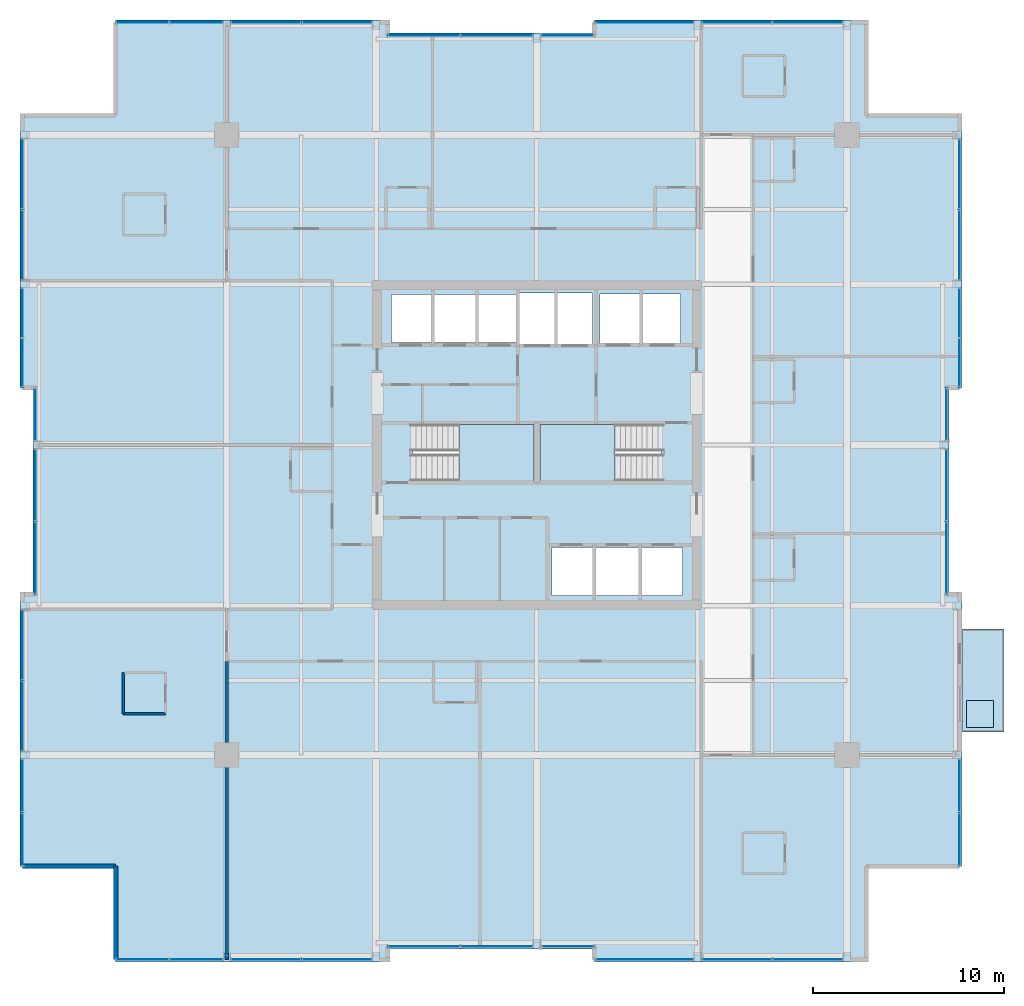
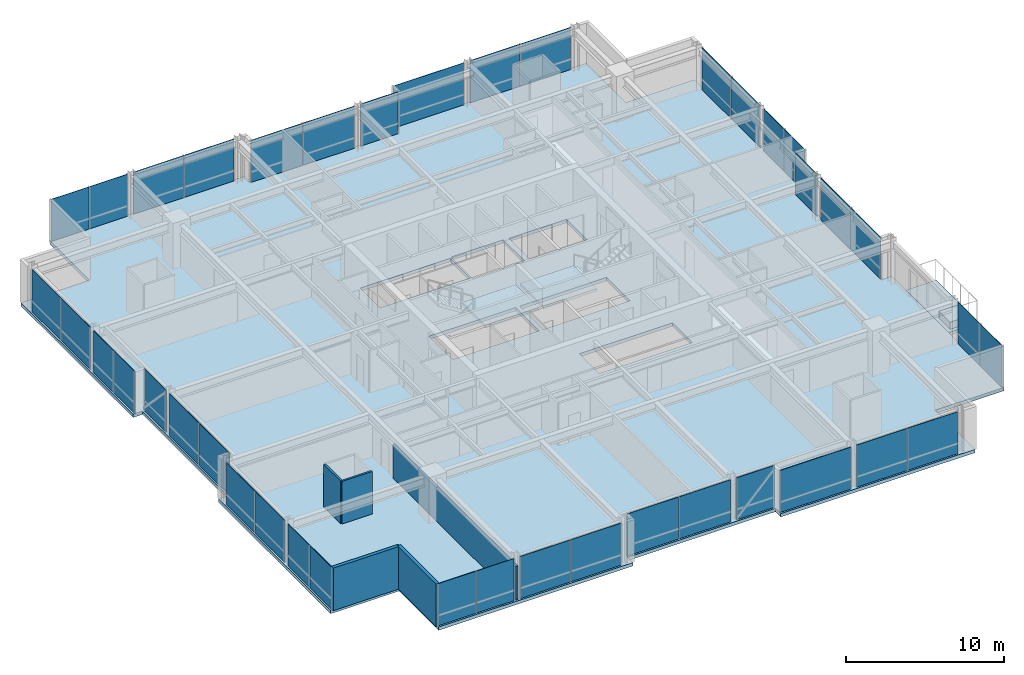
# One storey, part 26 of 33: 40 plates, 5 slabs, 5 walls, 25 elements without a shape of their own.
"""IFC4 building model written with IfcOpenShell, lengths in metres."""

from ifc_helpers import new_model, si_unit, direction, frame, frame_2d, origin, origin_2d, place, context, subcontext, project, spatial, polyline, rectangle, outline, extrude, material, layer, layer_set, type_object, element, aggregate, save


model = new_model("IFC4")

# Units and contexts
model_context = context("Model", 3, precision=1e-05, world=origin(), true_north=direction((0.0, 1.0)))
body_context = subcontext(model_context, "Body", "Model", "MODEL_VIEW")
ifc_project = project(units=[si_unit("LENGTHUNIT", "METRE"), si_unit("AREAUNIT", "SQUARE_METRE"), si_unit("VOLUMEUNIT", "CUBIC_METRE"), si_unit("PLANEANGLEUNIT", "RADIAN"), si_unit("MASSUNIT", "GRAM", prefix="KILO")], contexts=[model_context])

# Site, building, storey
site_placement = place(None, origin())
site = spatial("IfcSite", under=ifc_project, at=site_placement, CompositionType="ELEMENT")
building_placement = place(site_placement, origin())
building = spatial("IfcBuilding", under=site, at=building_placement, Name="Drelvath Grand Hotel", CompositionType="ELEMENT")
storey_placement = place(building_placement, frame((0.0, 0.0, 168.14990234375)))
storey = spatial("IfcBuildingStorey", under=building, at=storey_placement, Name="L43", CompositionType="ELEMENT", Elevation=168.14990234375)

# Slabs
ifc_material_1 = material(Name="Concrete f'c 40 MPa", Category="concrete")
ifc_layer_1 = layer(ifc_material_1, 0.239990234375)
ifc_layer_set_1 = layer_set([ifc_layer_1], Name="Concrete f'c 40 MPa")
slab_type_1 = type_object("IfcSlabType", Name="Cantilevered Tree Balcony Slab 240", PredefinedType="FLOOR", material=ifc_layer_set_1)
slab_1_placement = place(storey_placement, frame((0.0, 0.0, -0.239990234375)))
element("IfcSlab", 1, at=slab_1_placement, inside=storey, type_object=slab_type_1, Name="L43 Cantilevered Tree Balcony Slab 1", PredefinedType="FLOOR", context=body_context, shape_type="SweptSolid", body=[
    extrude(outline(polyline([(22.199951171875, 12.0), (24.39990234375, 12.0), (24.39990234375, 17.39990234375), (22.199951171875, 17.39990234375), (22.199951171875, 12.0)])), origin(), (0.0, 0.0, 1.0), 0.239990234375),
])
ifc_layer_2 = layer(ifc_material_1, 0.260009765625)
ifc_layer_set_2 = layer_set([ifc_layer_2], Name="Concrete f'c 40 MPa")
slab_type_2 = type_object("IfcSlabType", Name="Composite RC Floor Slab 260", PredefinedType="FLOOR", material=ifc_layer_set_2)
slab_2_placement = place(storey_placement, frame((0.0, 0.0, -0.260009765625)))
element("IfcSlab", 2, at=slab_2_placement, inside=storey, type_object=slab_type_2, Name="L43 Structural Floor Slab", PredefinedType="FLOOR", context=body_context, shape_type="SweptSolid", body=[
    extrude(outline(polyline([(-22.0, 0.0), (-7.800048828125, 0.0), (-7.800048828125, 0.679931640625), (3.0, 0.679931640625), (3.0, 0.0), (17.199951171875, 0.0), (17.199951171875, 5.0), (22.199951171875, 5.0), (22.199951171875, 19.199951171875), (21.52001953125, 19.199951171875), (21.52001953125, 30.0), (22.199951171875, 30.0), (22.199951171875, 44.199951171875), (17.199951171875, 44.199951171875), (17.199951171875, 49.199951171875), (3.0, 49.199951171875), (3.0, 48.52001953125), (-7.800048828125, 48.52001953125), (-7.800048828125, 49.199951171875), (-22.0, 49.199951171875), (-22.0, 44.199951171875), (-27.0, 44.199951171875), (-27.0, 30.0), (-26.320068359375, 30.0), (-26.320068359375, 19.199951171875), (-27.0, 19.199951171875), (-27.0, 5.0), (-22.0, 5.0), (-22.0, 0.0)]), holes=[polyline([(-6.47998046875, 25.1201171875), (-6.47998046875, 28.080078125), (-0.14990234375, 28.080078125), (-0.14990234375, 25.1201171875), (-6.47998046875, 25.1201171875)]), polyline([(0.14990234375, 25.1201171875), (0.14990234375, 28.080078125), (6.47998046875, 28.080078125), (6.47998046875, 25.1201171875), (0.14990234375, 25.1201171875)]), polyline([(0.800048828125, 19.14990234375), (0.800048828125, 21.64990234375), (7.60009765625, 21.64990234375), (7.60009765625, 19.14990234375), (0.800048828125, 19.14990234375)]), polyline([(-7.60009765625, 32.35009765625), (-7.60009765625, 34.85009765625), (-1.02001953125, 34.85009765625), (-1.02001953125, 32.35009765625), (-7.60009765625, 32.35009765625)]), polyline([(-0.89990234375, 32.25), (-0.89990234375, 34.949951171875), (2.89990234375, 34.949951171875), (2.89990234375, 32.25), (-0.89990234375, 32.25)]), polyline([(3.300048828125, 32.300048828125), (3.300048828125, 34.89990234375), (7.5, 34.89990234375), (7.5, 32.300048828125), (3.300048828125, 32.300048828125)])]), origin(), (0.0, 0.0, 1.0), 0.260009765625),
])

# Stair, slab
ifc_material_2 = material(Name="Concrete C40/50", Category="concrete")
stair_type = type_object("IfcStairType", Name="Dogleg Exit Stair W1400-R177.5", PredefinedType="HALF_TURN_STAIR", material=ifc_material_2)
stair_1_placement = place(storey_placement, origin())
stair_1 = element("IfcStair", 3, at=stair_1_placement, inside=storey, type_object=stair_type, Name="L43 Core Exit Stair ST-1", PredefinedType="HALF_TURN_STAIR")
ifc_layer_3 = layer(ifc_material_2, 0.199951171875)
ifc_layer_set_3 = layer_set([ifc_layer_3], Name="Concrete C40/50")
slab_type_3 = type_object("IfcSlabType", Name="Concrete Stair Landing Slab 200", PredefinedType="LANDING", material=ifc_layer_set_3)
slab_3_placement = place(storey_placement, frame((0.0, 0.0, 1.5751953125)))
slab_3 = element("IfcSlab", 4, at=slab_3_placement, type_object=slab_type_3, Name="ST-1 landing 1", PredefinedType="LANDING", context=body_context, shape_type="SweptSolid", body=[
    extrude(outline(polyline([(-4.080078125, 25.1201171875), (-0.14990234375, 25.1201171875), (-0.14990234375, 28.080078125), (-4.080078125, 28.080078125), (-4.080078125, 25.1201171875)])), origin(), (0.0, 0.0, 1.0), 0.199951171875),
])
aggregate(stair_1, [slab_3])

stair_2_placement = place(storey_placement, origin())
stair_2 = element("IfcStair", 5, at=stair_2_placement, inside=storey, type_object=stair_type, Name="L43 Core Exit Stair ST-2", PredefinedType="HALF_TURN_STAIR")
slab_4_placement = place(storey_placement, frame((0.0, 0.0, 1.5751953125)))
slab_4 = element("IfcSlab", 6, at=slab_4_placement, type_object=slab_type_3, Name="ST-2 landing 1", PredefinedType="LANDING", context=body_context, shape_type="SweptSolid", body=[
    extrude(outline(polyline([(4.080078125, 28.080078125), (0.14990234375, 28.080078125), (0.14990234375, 25.1201171875), (4.080078125, 25.1201171875), (4.080078125, 28.080078125)])), origin(), (0.0, 0.0, 1.0), 0.199951171875),
])
aggregate(stair_2, [slab_4])

# Curtain wall, plates
ifc_material_3 = material(Name="Brushed Pale-Silver Anodised Aluminium Frame", Category="aluminium")
ifc_layer_4 = layer(ifc_material_3, 0.199951171875)
ifc_layer_set_4 = layer_set([ifc_layer_4], Name="Brushed Pale-Silver Anodised Aluminium Frame")
curtain_wall_type = type_object("IfcCurtainWallType", Name="Stick Curtain Wall CW-04 Brushed Silver Upper-Mid", PredefinedType="NOTDEFINED", material=ifc_layer_set_4)
curtain_wall_1_placement = place(storey_placement, origin())
curtain_wall_1 = element("IfcCurtainWall", 7, at=curtain_wall_1_placement, inside=storey, type_object=curtain_wall_type, Name="L43 CW-04 Curtain Wall CW04-L43-WS1", PredefinedType="NOTDEFINED")
ifc_material_4 = material(Name="Low-E Triple Silver Vision Glass Cool", Category="glass")
ifc_layer_5 = layer(ifc_material_4, 0.035888671875)
ifc_layer_set_5 = layer_set([ifc_layer_5], Name="Low-E Triple Silver Vision Glass Cool")
plate_type = type_object("IfcPlateType", Name="Curtain Wall Vision Panel CW-04 36mm", PredefinedType="CURTAIN_PANEL", material=ifc_layer_set_5)
plate_1_placement = place(storey_placement, frame((-26.8798828125, 6.39990234375, 0.02001953125), z_axis=(0.0, 0.0, 1.0), x_axis=(0.0, 1.0, 0.0)))
plate_1 = element("IfcPlate", 8, at=plate_1_placement, type_object=plate_type, Name="CW04-L43-WS1 Glazed Panel 1", PredefinedType="CURTAIN_PANEL", context=body_context, shape_type="SweptSolid", body=[
    extrude(rectangle(XDim=2.760009765625, YDim=0.035888671875, at=origin_2d()), origin(), (0.0, 0.0, 1.0), 3.25),
])
plate_2_placement = place(storey_placement, frame((-26.8798828125, 9.199951171875, 0.02001953125), z_axis=(0.0, 0.0, 1.0), x_axis=(0.0, 1.0, 0.0)))
plate_2 = element("IfcPlate", 9, at=plate_2_placement, type_object=plate_type, Name="CW04-L43-WS1 Glazed Panel 2", PredefinedType="CURTAIN_PANEL", context=body_context, shape_type="SweptSolid", body=[
    extrude(rectangle(XDim=2.760009765625, YDim=0.035888671875, at=origin_2d()), origin(), (0.0, 0.0, 1.0), 3.25),
])
aggregate(curtain_wall_1, [plate_1, plate_2])

curtain_wall_2_placement = place(storey_placement, origin())
curtain_wall_2 = element("IfcCurtainWall", 10, at=curtain_wall_2_placement, inside=storey, type_object=curtain_wall_type, Name="L43 CW-04 Curtain Wall CW04-L43-WS2", PredefinedType="NOTDEFINED")
plate_3_placement = place(storey_placement, frame((-26.8798828125, 12.85009765625, 0.02001953125), z_axis=(0.0, 0.0, 1.0), x_axis=(0.0, 1.0, 0.0)))
plate_3 = element("IfcPlate", 11, at=plate_3_placement, type_object=plate_type, Name="CW04-L43-WS2 Glazed Panel 1", PredefinedType="CURTAIN_PANEL", context=body_context, shape_type="SweptSolid", body=[
    extrude(rectangle(XDim=3.659912109375, YDim=0.035888671875, at=origin_2d()), origin(), (0.0, 0.0, 1.0), 3.25),
])
plate_4_placement = place(storey_placement, frame((-26.8798828125, 16.550048828125, 0.02001953125), z_axis=(0.0, 0.0, 1.0), x_axis=(0.0, 1.0, 0.0)))
plate_4 = element("IfcPlate", 12, at=plate_4_placement, type_object=plate_type, Name="CW04-L43-WS2 Glazed Panel 2", PredefinedType="CURTAIN_PANEL", context=body_context, shape_type="SweptSolid", body=[
    extrude(rectangle(XDim=3.659912109375, YDim=0.035888671875, at=origin_2d()), origin(), (0.0, 0.0, 1.0), 3.25),
])
aggregate(curtain_wall_2, [plate_3, plate_4])

curtain_wall_3_placement = place(storey_placement, origin())
curtain_wall_3 = element("IfcCurtainWall", 13, at=curtain_wall_3_placement, inside=storey, type_object=curtain_wall_type, Name="L43 CW-04 Curtain Wall CW04-L43-WM1", PredefinedType="NOTDEFINED")
plate_5_placement = place(storey_placement, frame((-26.199951171875, 21.099853515625, 0.02001953125), z_axis=(0.0, 0.0, 1.0), x_axis=(0.0, 1.0, 0.0)))
plate_5 = element("IfcPlate", 14, at=plate_5_placement, type_object=plate_type, Name="CW04-L43-WM1 Glazed Panel 1", PredefinedType="CURTAIN_PANEL", context=body_context, shape_type="SweptSolid", body=[
    extrude(rectangle(XDim=3.760009765625, YDim=0.035888671875, at=origin_2d()), origin(), (0.0, 0.0, 1.0), 3.25),
])
plate_6_placement = place(storey_placement, frame((-26.199951171875, 24.89990234375, 0.02001953125), z_axis=(0.0, 0.0, 1.0), x_axis=(0.0, 1.0, 0.0)))
plate_6 = element("IfcPlate", 15, at=plate_6_placement, type_object=plate_type, Name="CW04-L43-WM1 Glazed Panel 2", PredefinedType="CURTAIN_PANEL", context=body_context, shape_type="SweptSolid", body=[
    extrude(rectangle(XDim=3.760009765625, YDim=0.035888671875, at=origin_2d()), origin(), (0.0, 0.0, 1.0), 3.25),
])
aggregate(curtain_wall_3, [plate_5, plate_6])

# Curtain wall, plate
curtain_wall_4_placement = place(storey_placement, origin())
curtain_wall_4 = element("IfcCurtainWall", 16, at=curtain_wall_4_placement, inside=storey, type_object=curtain_wall_type, Name="L43 CW-04 Curtain Wall CW04-L43-WM2", PredefinedType="NOTDEFINED")
plate_7_placement = place(storey_placement, frame((-26.199951171875, 28.60009765625, 0.02001953125), z_axis=(0.0, 0.0, 1.0), x_axis=(0.0, 1.0, 0.0)))
plate_7 = element("IfcPlate", 17, at=plate_7_placement, type_object=plate_type, Name="CW04-L43-WM2 Glazed Panel 1", PredefinedType="CURTAIN_PANEL", context=body_context, shape_type="SweptSolid", body=[
    extrude(rectangle(XDim=2.760009765625, YDim=0.035888671875, at=origin_2d()), origin(), (0.0, 0.0, 1.0), 3.25),
])
aggregate(curtain_wall_4, [plate_7])

# Curtain wall, plates
curtain_wall_5_placement = place(storey_placement, origin())
curtain_wall_5 = element("IfcCurtainWall", 18, at=curtain_wall_5_placement, inside=storey, type_object=curtain_wall_type, Name="L43 CW-04 Curtain Wall CW04-L43-WN1", PredefinedType="NOTDEFINED")
plate_8_placement = place(storey_placement, frame((-26.8798828125, 31.300048828125, 0.02001953125), z_axis=(0.0, 0.0, 1.0), x_axis=(0.0, 1.0, 0.0)))
plate_8 = element("IfcPlate", 19, at=plate_8_placement, type_object=plate_type, Name="CW04-L43-WN1 Glazed Panel 1", PredefinedType="CURTAIN_PANEL", context=body_context, shape_type="SweptSolid", body=[
    extrude(rectangle(XDim=2.56005859375, YDim=0.035888671875, at=origin_2d()), origin(), (0.0, 0.0, 1.0), 3.25),
])
plate_9_placement = place(storey_placement, frame((-26.8798828125, 33.89990234375, 0.02001953125), z_axis=(0.0, 0.0, 1.0), x_axis=(0.0, 1.0, 0.0)))
plate_9 = element("IfcPlate", 20, at=plate_9_placement, type_object=plate_type, Name="CW04-L43-WN1 Glazed Panel 2", PredefinedType="CURTAIN_PANEL", context=body_context, shape_type="SweptSolid", body=[
    extrude(rectangle(XDim=2.56005859375, YDim=0.035888671875, at=origin_2d()), origin(), (0.0, 0.0, 1.0), 3.25),
])
aggregate(curtain_wall_5, [plate_8, plate_9])

curtain_wall_6_placement = place(storey_placement, origin())
curtain_wall_6 = element("IfcCurtainWall", 21, at=curtain_wall_6_placement, inside=storey, type_object=curtain_wall_type, Name="L43 CW-04 Curtain Wall CW04-L43-WN2", PredefinedType="NOTDEFINED")
plate_10_placement = place(storey_placement, frame((-26.8798828125, 37.449951171875, 0.02001953125), z_axis=(0.0, 0.0, 1.0), x_axis=(0.0, 1.0, 0.0)))
plate_10 = element("IfcPlate", 22, at=plate_10_placement, type_object=plate_type, Name="CW04-L43-WN2 Glazed Panel 1", PredefinedType="CURTAIN_PANEL", context=body_context, shape_type="SweptSolid", body=[
    extrude(rectangle(XDim=3.659912109375, YDim=0.035888671875, at=origin_2d()), origin(), (0.0, 0.0, 1.0), 3.25),
])
plate_11_placement = place(storey_placement, frame((-26.8798828125, 41.14990234375, 0.02001953125), z_axis=(0.0, 0.0, 1.0), x_axis=(0.0, 1.0, 0.0)))
plate_11 = element("IfcPlate", 23, at=plate_11_placement, type_object=plate_type, Name="CW04-L43-WN2 Glazed Panel 2", PredefinedType="CURTAIN_PANEL", context=body_context, shape_type="SweptSolid", body=[
    extrude(rectangle(XDim=3.659912109375, YDim=0.035888671875, at=origin_2d()), origin(), (0.0, 0.0, 1.0), 3.25),
])
aggregate(curtain_wall_6, [plate_10, plate_11])

curtain_wall_7_placement = place(storey_placement, origin())
curtain_wall_7 = element("IfcCurtainWall", 24, at=curtain_wall_7_placement, inside=storey, type_object=curtain_wall_type, Name="L43 CW-04 Curtain Wall CW04-L43-EN1", PredefinedType="NOTDEFINED")
plate_12_placement = place(storey_placement, frame((22.080078125, 33.89990234375, 0.02001953125), z_axis=(0.0, 0.0, 1.0), x_axis=(0.0, -1.0, 0.0)))
plate_12 = element("IfcPlate", 25, at=plate_12_placement, type_object=plate_type, Name="CW04-L43-EN1 Glazed Panel 1", PredefinedType="CURTAIN_PANEL", context=body_context, shape_type="SweptSolid", body=[
    extrude(rectangle(XDim=2.56005859375, YDim=0.035888671875, at=origin_2d()), origin(), (0.0, 0.0, 1.0), 3.25),
])
plate_13_placement = place(storey_placement, frame((22.080078125, 31.300048828125, 0.02001953125), z_axis=(0.0, 0.0, 1.0), x_axis=(0.0, -1.0, 0.0)))
plate_13 = element("IfcPlate", 26, at=plate_13_placement, type_object=plate_type, Name="CW04-L43-EN1 Glazed Panel 2", PredefinedType="CURTAIN_PANEL", context=body_context, shape_type="SweptSolid", body=[
    extrude(rectangle(XDim=2.56005859375, YDim=0.035888671875, at=origin_2d()), origin(), (0.0, 0.0, 1.0), 3.25),
])
aggregate(curtain_wall_7, [plate_12, plate_13])

curtain_wall_8_placement = place(storey_placement, origin())
curtain_wall_8 = element("IfcCurtainWall", 27, at=curtain_wall_8_placement, inside=storey, type_object=curtain_wall_type, Name="L43 CW-04 Curtain Wall CW04-L43-EN2", PredefinedType="NOTDEFINED")
plate_14_placement = place(storey_placement, frame((22.080078125, 41.14990234375, 0.02001953125), z_axis=(0.0, 0.0, 1.0), x_axis=(0.0, -1.0, 0.0)))
plate_14 = element("IfcPlate", 28, at=plate_14_placement, type_object=plate_type, Name="CW04-L43-EN2 Glazed Panel 1", PredefinedType="CURTAIN_PANEL", context=body_context, shape_type="SweptSolid", body=[
    extrude(rectangle(XDim=3.659912109375, YDim=0.035888671875, at=origin_2d()), origin(), (0.0, 0.0, 1.0), 3.25),
])
plate_15_placement = place(storey_placement, frame((22.080078125, 37.449951171875, 0.02001953125), z_axis=(0.0, 0.0, 1.0), x_axis=(0.0, -1.0, 0.0)))
plate_15 = element("IfcPlate", 29, at=plate_15_placement, type_object=plate_type, Name="CW04-L43-EN2 Glazed Panel 2", PredefinedType="CURTAIN_PANEL", context=body_context, shape_type="SweptSolid", body=[
    extrude(rectangle(XDim=3.659912109375, YDim=0.035888671875, at=origin_2d()), origin(), (0.0, 0.0, 1.0), 3.25),
])
aggregate(curtain_wall_8, [plate_14, plate_15])

curtain_wall_9_placement = place(storey_placement, origin())
curtain_wall_9 = element("IfcCurtainWall", 30, at=curtain_wall_9_placement, inside=storey, type_object=curtain_wall_type, Name="L43 CW-04 Curtain Wall CW04-L43-EM1", PredefinedType="NOTDEFINED")
plate_16_placement = place(storey_placement, frame((21.39990234375, 24.89990234375, 0.02001953125), z_axis=(0.0, 0.0, 1.0), x_axis=(0.0, -1.0, 0.0)))
plate_16 = element("IfcPlate", 31, at=plate_16_placement, type_object=plate_type, Name="CW04-L43-EM1 Glazed Panel 1", PredefinedType="CURTAIN_PANEL", context=body_context, shape_type="SweptSolid", body=[
    extrude(rectangle(XDim=3.760009765625, YDim=0.035888671875, at=origin_2d()), origin(), (0.0, 0.0, 1.0), 3.25),
])
plate_17_placement = place(storey_placement, frame((21.39990234375, 21.099853515625, 0.02001953125), z_axis=(0.0, 0.0, 1.0), x_axis=(0.0, -1.0, 0.0)))
plate_17 = element("IfcPlate", 32, at=plate_17_placement, type_object=plate_type, Name="CW04-L43-EM1 Glazed Panel 2", PredefinedType="CURTAIN_PANEL", context=body_context, shape_type="SweptSolid", body=[
    extrude(rectangle(XDim=3.760009765625, YDim=0.035888671875, at=origin_2d()), origin(), (0.0, 0.0, 1.0), 3.25),
])
aggregate(curtain_wall_9, [plate_16, plate_17])

# Curtain wall, plate
curtain_wall_10_placement = place(storey_placement, origin())
curtain_wall_10 = element("IfcCurtainWall", 33, at=curtain_wall_10_placement, inside=storey, type_object=curtain_wall_type, Name="L43 CW-04 Curtain Wall CW04-L43-EM2", PredefinedType="NOTDEFINED")
plate_18_placement = place(storey_placement, frame((21.39990234375, 28.60009765625, 0.02001953125), z_axis=(0.0, 0.0, 1.0), x_axis=(0.0, -1.0, 0.0)))
plate_18 = element("IfcPlate", 34, at=plate_18_placement, type_object=plate_type, Name="CW04-L43-EM2 Glazed Panel 1", PredefinedType="CURTAIN_PANEL", context=body_context, shape_type="SweptSolid", body=[
    extrude(rectangle(XDim=2.760009765625, YDim=0.035888671875, at=origin_2d()), origin(), (0.0, 0.0, 1.0), 3.25),
])
aggregate(curtain_wall_10, [plate_18])

# Curtain wall, plates
curtain_wall_11_placement = place(storey_placement, origin())
curtain_wall_11 = element("IfcCurtainWall", 35, at=curtain_wall_11_placement, inside=storey, type_object=curtain_wall_type, Name="L43 CW-04 Curtain Wall CW04-L43-ES1", PredefinedType="NOTDEFINED")
plate_19_placement = place(storey_placement, frame((22.080078125, 9.199951171875, 0.02001953125), z_axis=(0.0, 0.0, 1.0), x_axis=(0.0, -1.0, 0.0)))
plate_19 = element("IfcPlate", 36, at=plate_19_placement, type_object=plate_type, Name="CW04-L43-ES1 Glazed Panel 1", PredefinedType="CURTAIN_PANEL", context=body_context, shape_type="SweptSolid", body=[
    extrude(rectangle(XDim=2.760009765625, YDim=0.035888671875, at=origin_2d()), origin(), (0.0, 0.0, 1.0), 3.25),
])
plate_20_placement = place(storey_placement, frame((22.080078125, 6.39990234375, 0.02001953125), z_axis=(0.0, 0.0, 1.0), x_axis=(0.0, -1.0, 0.0)))
plate_20 = element("IfcPlate", 37, at=plate_20_placement, type_object=plate_type, Name="CW04-L43-ES1 Glazed Panel 2", PredefinedType="CURTAIN_PANEL", context=body_context, shape_type="SweptSolid", body=[
    extrude(rectangle(XDim=2.760009765625, YDim=0.035888671875, at=origin_2d()), origin(), (0.0, 0.0, 1.0), 3.25),
])
aggregate(curtain_wall_11, [plate_19, plate_20])

curtain_wall_12_placement = place(storey_placement, origin())
curtain_wall_12 = element("IfcCurtainWall", 38, at=curtain_wall_12_placement, inside=storey, type_object=curtain_wall_type, Name="L43 CW-04 Curtain Wall CW04-L43-NW1", PredefinedType="NOTDEFINED")
plate_21_placement = place(storey_placement, frame((-20.60009765625, 49.080078125, 0.02001953125), z_axis=(0.0, 0.0, 1.0), x_axis=(1.0, 0.0, 0.0)))
plate_21 = element("IfcPlate", 39, at=plate_21_placement, type_object=plate_type, Name="CW04-L43-NW1 Glazed Panel 1", PredefinedType="CURTAIN_PANEL", context=body_context, shape_type="SweptSolid", body=[
    extrude(rectangle(XDim=2.760009765625, YDim=0.035888671875, at=origin_2d()), origin(), (0.0, 0.0, 1.0), 3.25),
])
plate_22_placement = place(storey_placement, frame((-17.800048828125, 49.080078125, 0.02001953125), z_axis=(0.0, 0.0, 1.0), x_axis=(1.0, 0.0, 0.0)))
plate_22 = element("IfcPlate", 40, at=plate_22_placement, type_object=plate_type, Name="CW04-L43-NW1 Glazed Panel 2", PredefinedType="CURTAIN_PANEL", context=body_context, shape_type="SweptSolid", body=[
    extrude(rectangle(XDim=2.760009765625, YDim=0.035888671875, at=origin_2d()), origin(), (0.0, 0.0, 1.0), 3.25),
])
aggregate(curtain_wall_12, [plate_21, plate_22])

curtain_wall_13_placement = place(storey_placement, origin())
curtain_wall_13 = element("IfcCurtainWall", 41, at=curtain_wall_13_placement, inside=storey, type_object=curtain_wall_type, Name="L43 CW-04 Curtain Wall CW04-L43-NW2", PredefinedType="NOTDEFINED")
plate_23_placement = place(storey_placement, frame((-14.14990234375, 49.080078125, 0.02001953125), z_axis=(0.0, 0.0, 1.0), x_axis=(1.0, 0.0, 0.0)))
plate_23 = element("IfcPlate", 42, at=plate_23_placement, type_object=plate_type, Name="CW04-L43-NW2 Glazed Panel 1", PredefinedType="CURTAIN_PANEL", context=body_context, shape_type="SweptSolid", body=[
    extrude(rectangle(XDim=3.659912109375, YDim=0.035888671875, at=origin_2d()), origin(), (0.0, 0.0, 1.0), 3.25),
])
plate_24_placement = place(storey_placement, frame((-10.4501953125, 49.080078125, 0.02001953125), z_axis=(0.0, 0.0, 1.0), x_axis=(1.0, 0.0, 0.0)))
plate_24 = element("IfcPlate", 43, at=plate_24_placement, type_object=plate_type, Name="CW04-L43-NW2 Glazed Panel 2", PredefinedType="CURTAIN_PANEL", context=body_context, shape_type="SweptSolid", body=[
    extrude(rectangle(XDim=3.659912109375, YDim=0.035888671875, at=origin_2d()), origin(), (0.0, 0.0, 1.0), 3.25),
])
aggregate(curtain_wall_13, [plate_23, plate_24])

curtain_wall_14_placement = place(storey_placement, origin())
curtain_wall_14 = element("IfcCurtainWall", 44, at=curtain_wall_14_placement, inside=storey, type_object=curtain_wall_type, Name="L43 CW-04 Curtain Wall CW04-L43-NM1", PredefinedType="NOTDEFINED")
plate_25_placement = place(storey_placement, frame((-5.89990234375, 48.39990234375, 0.02001953125), z_axis=(0.0, 0.0, 1.0), x_axis=(1.0, 0.0, 0.0)))
plate_25 = element("IfcPlate", 45, at=plate_25_placement, type_object=plate_type, Name="CW04-L43-NM1 Glazed Panel 1", PredefinedType="CURTAIN_PANEL", context=body_context, shape_type="SweptSolid", body=[
    extrude(rectangle(XDim=3.760009765625, YDim=0.035888671875, at=origin_2d()), origin(), (0.0, 0.0, 1.0), 3.25),
])
plate_26_placement = place(storey_placement, frame((-2.10009765625, 48.39990234375, 0.02001953125), z_axis=(0.0, 0.0, 1.0), x_axis=(1.0, 0.0, 0.0)))
plate_26 = element("IfcPlate", 46, at=plate_26_placement, type_object=plate_type, Name="CW04-L43-NM1 Glazed Panel 2", PredefinedType="CURTAIN_PANEL", context=body_context, shape_type="SweptSolid", body=[
    extrude(rectangle(XDim=3.760009765625, YDim=0.035888671875, at=origin_2d()), origin(), (0.0, 0.0, 1.0), 3.25),
])
aggregate(curtain_wall_14, [plate_25, plate_26])

# Curtain wall, plate
curtain_wall_15_placement = place(storey_placement, origin())
curtain_wall_15 = element("IfcCurtainWall", 47, at=curtain_wall_15_placement, inside=storey, type_object=curtain_wall_type, Name="L43 CW-04 Curtain Wall CW04-L43-NM2", PredefinedType="NOTDEFINED")
plate_27_placement = place(storey_placement, frame((1.60009765625, 48.39990234375, 0.02001953125), z_axis=(0.0, 0.0, 1.0), x_axis=(1.0, 0.0, 0.0)))
plate_27 = element("IfcPlate", 48, at=plate_27_placement, type_object=plate_type, Name="CW04-L43-NM2 Glazed Panel 1", PredefinedType="CURTAIN_PANEL", context=body_context, shape_type="SweptSolid", body=[
    extrude(rectangle(XDim=2.760009765625, YDim=0.035888671875, at=origin_2d()), origin(), (0.0, 0.0, 1.0), 3.25),
])
aggregate(curtain_wall_15, [plate_27])

curtain_wall_16_placement = place(storey_placement, origin())
curtain_wall_16 = element("IfcCurtainWall", 49, at=curtain_wall_16_placement, inside=storey, type_object=curtain_wall_type, Name="L43 CW-04 Curtain Wall CW04-L43-NE1", PredefinedType="NOTDEFINED")
plate_28_placement = place(storey_placement, frame((5.599853515625, 49.080078125, 0.02001953125), z_axis=(0.0, 0.0, 1.0), x_axis=(1.0, 0.0, 0.0)))
plate_28 = element("IfcPlate", 50, at=plate_28_placement, type_object=plate_type, Name="CW04-L43-NE1 Glazed Panel 1", PredefinedType="CURTAIN_PANEL", context=body_context, shape_type="SweptSolid", body=[
    extrude(rectangle(XDim=5.159912109375, YDim=0.035888671875, at=origin_2d()), origin(), (0.0, 0.0, 1.0), 3.25),
])
aggregate(curtain_wall_16, [plate_28])

# Curtain wall, plates
curtain_wall_17_placement = place(storey_placement, origin())
curtain_wall_17 = element("IfcCurtainWall", 51, at=curtain_wall_17_placement, inside=storey, type_object=curtain_wall_type, Name="L43 CW-04 Curtain Wall CW04-L43-NE2", PredefinedType="NOTDEFINED")
plate_29_placement = place(storey_placement, frame((10.4501953125, 49.080078125, 0.02001953125), z_axis=(0.0, 0.0, 1.0), x_axis=(1.0, 0.0, 0.0)))
plate_29 = element("IfcPlate", 52, at=plate_29_placement, type_object=plate_type, Name="CW04-L43-NE2 Glazed Panel 1", PredefinedType="CURTAIN_PANEL", context=body_context, shape_type="SweptSolid", body=[
    extrude(rectangle(XDim=3.659912109375, YDim=0.035888671875, at=origin_2d()), origin(), (0.0, 0.0, 1.0), 3.25),
])
plate_30_placement = place(storey_placement, frame((14.14990234375, 49.080078125, 0.02001953125), z_axis=(0.0, 0.0, 1.0), x_axis=(1.0, 0.0, 0.0)))
plate_30 = element("IfcPlate", 53, at=plate_30_placement, type_object=plate_type, Name="CW04-L43-NE2 Glazed Panel 2", PredefinedType="CURTAIN_PANEL", context=body_context, shape_type="SweptSolid", body=[
    extrude(rectangle(XDim=3.659912109375, YDim=0.035888671875, at=origin_2d()), origin(), (0.0, 0.0, 1.0), 3.25),
])
aggregate(curtain_wall_17, [plate_29, plate_30])

# Curtain wall, plate
curtain_wall_18_placement = place(storey_placement, origin())
curtain_wall_18 = element("IfcCurtainWall", 54, at=curtain_wall_18_placement, inside=storey, type_object=curtain_wall_type, Name="L43 CW-04 Curtain Wall CW04-L43-SE1", PredefinedType="NOTDEFINED")
plate_31_placement = place(storey_placement, frame((5.599853515625, 0.1201171875, 0.02001953125), z_axis=(0.0, 0.0, 1.0), x_axis=(-1.0, 0.0, 0.0)))
plate_31 = element("IfcPlate", 55, at=plate_31_placement, type_object=plate_type, Name="CW04-L43-SE1 Glazed Panel 1", PredefinedType="CURTAIN_PANEL", context=body_context, shape_type="SweptSolid", body=[
    extrude(rectangle(XDim=5.159912109375, YDim=0.035888671875, at=origin_2d()), origin(), (0.0, 0.0, 1.0), 3.25),
])
aggregate(curtain_wall_18, [plate_31])

# Curtain wall, plates
curtain_wall_19_placement = place(storey_placement, origin())
curtain_wall_19 = element("IfcCurtainWall", 56, at=curtain_wall_19_placement, inside=storey, type_object=curtain_wall_type, Name="L43 CW-04 Curtain Wall CW04-L43-SE2", PredefinedType="NOTDEFINED")
plate_32_placement = place(storey_placement, frame((14.14990234375, 0.1201171875, 0.02001953125), z_axis=(0.0, 0.0, 1.0), x_axis=(-1.0, 0.0, 0.0)))
plate_32 = element("IfcPlate", 57, at=plate_32_placement, type_object=plate_type, Name="CW04-L43-SE2 Glazed Panel 1", PredefinedType="CURTAIN_PANEL", context=body_context, shape_type="SweptSolid", body=[
    extrude(rectangle(XDim=3.659912109375, YDim=0.035888671875, at=origin_2d()), origin(), (0.0, 0.0, 1.0), 3.25),
])
plate_33_placement = place(storey_placement, frame((10.4501953125, 0.1201171875, 0.02001953125), z_axis=(0.0, 0.0, 1.0), x_axis=(-1.0, 0.0, 0.0)))
plate_33 = element("IfcPlate", 58, at=plate_33_placement, type_object=plate_type, Name="CW04-L43-SE2 Glazed Panel 2", PredefinedType="CURTAIN_PANEL", context=body_context, shape_type="SweptSolid", body=[
    extrude(rectangle(XDim=3.659912109375, YDim=0.035888671875, at=origin_2d()), origin(), (0.0, 0.0, 1.0), 3.25),
])
aggregate(curtain_wall_19, [plate_32, plate_33])

curtain_wall_20_placement = place(storey_placement, origin())
curtain_wall_20 = element("IfcCurtainWall", 59, at=curtain_wall_20_placement, inside=storey, type_object=curtain_wall_type, Name="L43 CW-04 Curtain Wall CW04-L43-SM1", PredefinedType="NOTDEFINED")
plate_34_placement = place(storey_placement, frame((-2.10009765625, 0.800048828125, 0.02001953125), z_axis=(0.0, 0.0, 1.0), x_axis=(-1.0, 0.0, 0.0)))
plate_34 = element("IfcPlate", 60, at=plate_34_placement, type_object=plate_type, Name="CW04-L43-SM1 Glazed Panel 1", PredefinedType="CURTAIN_PANEL", context=body_context, shape_type="SweptSolid", body=[
    extrude(rectangle(XDim=3.760009765625, YDim=0.035888671875, at=origin_2d()), origin(), (0.0, 0.0, 1.0), 3.25),
])
plate_35_placement = place(storey_placement, frame((-5.89990234375, 0.800048828125, 0.02001953125), z_axis=(0.0, 0.0, 1.0), x_axis=(-1.0, 0.0, 0.0)))
plate_35 = element("IfcPlate", 61, at=plate_35_placement, type_object=plate_type, Name="CW04-L43-SM1 Glazed Panel 2", PredefinedType="CURTAIN_PANEL", context=body_context, shape_type="SweptSolid", body=[
    extrude(rectangle(XDim=3.760009765625, YDim=0.035888671875, at=origin_2d()), origin(), (0.0, 0.0, 1.0), 3.25),
])
aggregate(curtain_wall_20, [plate_34, plate_35])

# Curtain wall, plate
curtain_wall_21_placement = place(storey_placement, origin())
curtain_wall_21 = element("IfcCurtainWall", 62, at=curtain_wall_21_placement, inside=storey, type_object=curtain_wall_type, Name="L43 CW-04 Curtain Wall CW04-L43-SM2", PredefinedType="NOTDEFINED")
plate_36_placement = place(storey_placement, frame((1.60009765625, 0.800048828125, 0.02001953125), z_axis=(0.0, 0.0, 1.0), x_axis=(-1.0, 0.0, 0.0)))
plate_36 = element("IfcPlate", 63, at=plate_36_placement, type_object=plate_type, Name="CW04-L43-SM2 Glazed Panel 1", PredefinedType="CURTAIN_PANEL", context=body_context, shape_type="SweptSolid", body=[
    extrude(rectangle(XDim=2.760009765625, YDim=0.035888671875, at=origin_2d()), origin(), (0.0, 0.0, 1.0), 3.25),
])
aggregate(curtain_wall_21, [plate_36])

# Curtain wall, plates
curtain_wall_22_placement = place(storey_placement, origin())
curtain_wall_22 = element("IfcCurtainWall", 64, at=curtain_wall_22_placement, inside=storey, type_object=curtain_wall_type, Name="L43 CW-04 Curtain Wall CW04-L43-SW1", PredefinedType="NOTDEFINED")
plate_37_placement = place(storey_placement, frame((-17.800048828125, 0.1201171875, 0.02001953125), z_axis=(0.0, 0.0, 1.0), x_axis=(-1.0, 0.0, 0.0)))
plate_37 = element("IfcPlate", 65, at=plate_37_placement, type_object=plate_type, Name="CW04-L43-SW1 Glazed Panel 1", PredefinedType="CURTAIN_PANEL", context=body_context, shape_type="SweptSolid", body=[
    extrude(rectangle(XDim=2.760009765625, YDim=0.035888671875, at=origin_2d()), origin(), (0.0, 0.0, 1.0), 3.25),
])
plate_38_placement = place(storey_placement, frame((-20.60009765625, 0.1201171875, 0.02001953125), z_axis=(0.0, 0.0, 1.0), x_axis=(-1.0, 0.0, 0.0)))
plate_38 = element("IfcPlate", 66, at=plate_38_placement, type_object=plate_type, Name="CW04-L43-SW1 Glazed Panel 2", PredefinedType="CURTAIN_PANEL", context=body_context, shape_type="SweptSolid", body=[
    extrude(rectangle(XDim=2.760009765625, YDim=0.035888671875, at=origin_2d()), origin(), (0.0, 0.0, 1.0), 3.25),
])
aggregate(curtain_wall_22, [plate_37, plate_38])

curtain_wall_23_placement = place(storey_placement, origin())
curtain_wall_23 = element("IfcCurtainWall", 67, at=curtain_wall_23_placement, inside=storey, type_object=curtain_wall_type, Name="L43 CW-04 Curtain Wall CW04-L43-SW2", PredefinedType="NOTDEFINED")
plate_39_placement = place(storey_placement, frame((-10.4501953125, 0.1201171875, 0.02001953125), z_axis=(0.0, 0.0, 1.0), x_axis=(-1.0, 0.0, 0.0)))
plate_39 = element("IfcPlate", 68, at=plate_39_placement, type_object=plate_type, Name="CW04-L43-SW2 Glazed Panel 1", PredefinedType="CURTAIN_PANEL", context=body_context, shape_type="SweptSolid", body=[
    extrude(rectangle(XDim=3.659912109375, YDim=0.035888671875, at=origin_2d()), origin(), (0.0, 0.0, 1.0), 3.25),
])
plate_40_placement = place(storey_placement, frame((-14.14990234375, 0.1201171875, 0.02001953125), z_axis=(0.0, 0.0, 1.0), x_axis=(-1.0, 0.0, 0.0)))
plate_40 = element("IfcPlate", 69, at=plate_40_placement, type_object=plate_type, Name="CW04-L43-SW2 Glazed Panel 2", PredefinedType="CURTAIN_PANEL", context=body_context, shape_type="SweptSolid", body=[
    extrude(rectangle(XDim=3.659912109375, YDim=0.035888671875, at=origin_2d()), origin(), (0.0, 0.0, 1.0), 3.25),
])
aggregate(curtain_wall_23, [plate_39, plate_40])

# Slab
ifc_layer_6 = layer(ifc_material_1, 0.550048828125)
ifc_layer_set_6 = layer_set([ifc_layer_6], Name="Concrete f'c 40 MPa")
slab_type_4 = type_object("IfcSlabType", Name="Structural Tree Planter Box 550", PredefinedType="USERDEFINED", material=ifc_layer_set_6)
slab_5_placement = place(storey_placement, origin())
element("IfcSlab", 70, at=slab_5_placement, inside=storey, type_object=slab_type_4, Name="L43 Tree Balcony Structural Planter 1", ObjectType="PLANTER", PredefinedType="USERDEFINED", context=body_context, shape_type="SweptSolid", body=[
    extrude(outline(polyline([(22.449951171875, 12.25), (23.85009765625, 12.25), (23.85009765625, 13.64990234375), (22.449951171875, 13.64990234375), (22.449951171875, 12.25)])), origin(), (0.0, 0.0, 1.0), 0.550048828125),
])

# Walls
ifc_material_5 = material(Name="Moisture-Resistant Gypsum Board")
ifc_layer_7 = layer(ifc_material_5, 0.139892578125)
ifc_layer_set_7 = layer_set([ifc_layer_7], Name="Moisture-Resistant Gypsum Board")
wall_type_1 = type_object("IfcWallType", Name="En-Suite Plumbing Wall 140", PredefinedType="PLUMBINGWALL", material=ifc_layer_set_7)
wall_1_placement = place(storey_placement, frame((-21.60009765625, 12.9599609375, 0.0), z_axis=(0.0, 0.0, 1.0), x_axis=(1.0, 0.0, 0.0)))
element("IfcWall", 71, at=wall_1_placement, inside=storey, type_object=wall_type_1, Name="L43 Corner En-Suite South", PredefinedType="PLUMBINGWALL", context=body_context, shape_type="SweptSolid", body=[
    extrude(rectangle(XDim=2.2001953125, YDim=0.139892578125, at=frame_2d((1.10009765625, 0.0))), origin(), (0.0, 0.0, 1.0), 3.2900390625),
])
wall_2_placement = place(storey_placement, frame((-21.60009765625, 12.9599609375, 0.0), z_axis=(0.0, 0.0, 1.0), x_axis=(0.0, 1.0, 0.0)))
element("IfcWall", 72, at=wall_2_placement, inside=storey, type_object=wall_type_1, Name="L43 Corner En-Suite West", PredefinedType="PLUMBINGWALL", context=body_context, shape_type="SweptSolid", body=[
    extrude(rectangle(XDim=2.150146484375, YDim=0.139892578125, at=frame_2d((1.0751953125, 0.0))), origin(), (0.0, 0.0, 1.0), 3.2900390625),
])
ifc_material_6 = material(Name="Gypsum Acoustic Partition")
ifc_layer_8 = layer(ifc_material_6, 0.1650390625)
ifc_layer_set_8 = layer_set([ifc_layer_8], Name="Gypsum Acoustic Partition")
wall_type_2 = type_object("IfcWallType", Name="Suite Demising Wall 165", PredefinedType="PARTITIONING", material=ifc_layer_set_8)
wall_3_placement = place(storey_placement, frame((-16.199951171875, 0.1201171875, 0.0), z_axis=(0.0, 0.0, 1.0), x_axis=(0.0, 1.0, 0.0)))
element("IfcWall", 73, at=wall_3_placement, inside=storey, type_object=wall_type_2, Name="L43 SW Suite East Wall", PredefinedType="PARTITIONING", context=body_context, shape_type="SweptSolid", body=[
    extrude(rectangle(XDim=15.579833984375, YDim=0.1650390625, at=frame_2d((7.7900390625, 0.0))), origin(), (0.0, 0.0, 1.0), 2.57958984375),
])
ifc_material_7 = material(Name="Pale-Metal Insulated Aluminium Spandrel Assembly", Category="aluminium")
ifc_layer_9 = layer(ifc_material_7, 0.239990234375)
ifc_layer_set_9 = layer_set([ifc_layer_9], Name="Pale-Metal Insulated Aluminium Spandrel Assembly")
wall_type_3 = type_object("IfcWallType", Name="Tower Insulated Metal Spandrel Closure Wall 240", PredefinedType="STANDARD", material=ifc_layer_set_9)
for number, where, z_axis, x_axis, name in (
    (74, (-22.0, 0.1201171875, 0.0), (0.0, 0.0, 1.0), (0.0, 1.0, 0.0), "L43 Notched Corner Return Spandrel Wall CSW1"),
    (75, (-22.0, 5.0, 0.0), (0.0, 0.0, 1.0), (-1.0, 0.0, 0.0), "L43 Notched Corner Return Spandrel Wall CSW2"),
):
    element("IfcWall", number, at=place(storey_placement, frame(where, z_axis=z_axis, x_axis=x_axis)), inside=storey, type_object=wall_type_3, Name=name, PredefinedType="STANDARD", context=body_context, shape_type="SweptSolid", body=[
        extrude(rectangle(XDim=4.8798828125, YDim=0.239990234375, at=frame_2d((2.43994140625, 0.0))), origin(), (0.0, 0.0, 1.0), 3.2900390625),
    ])

save(model, "model.ifc")
